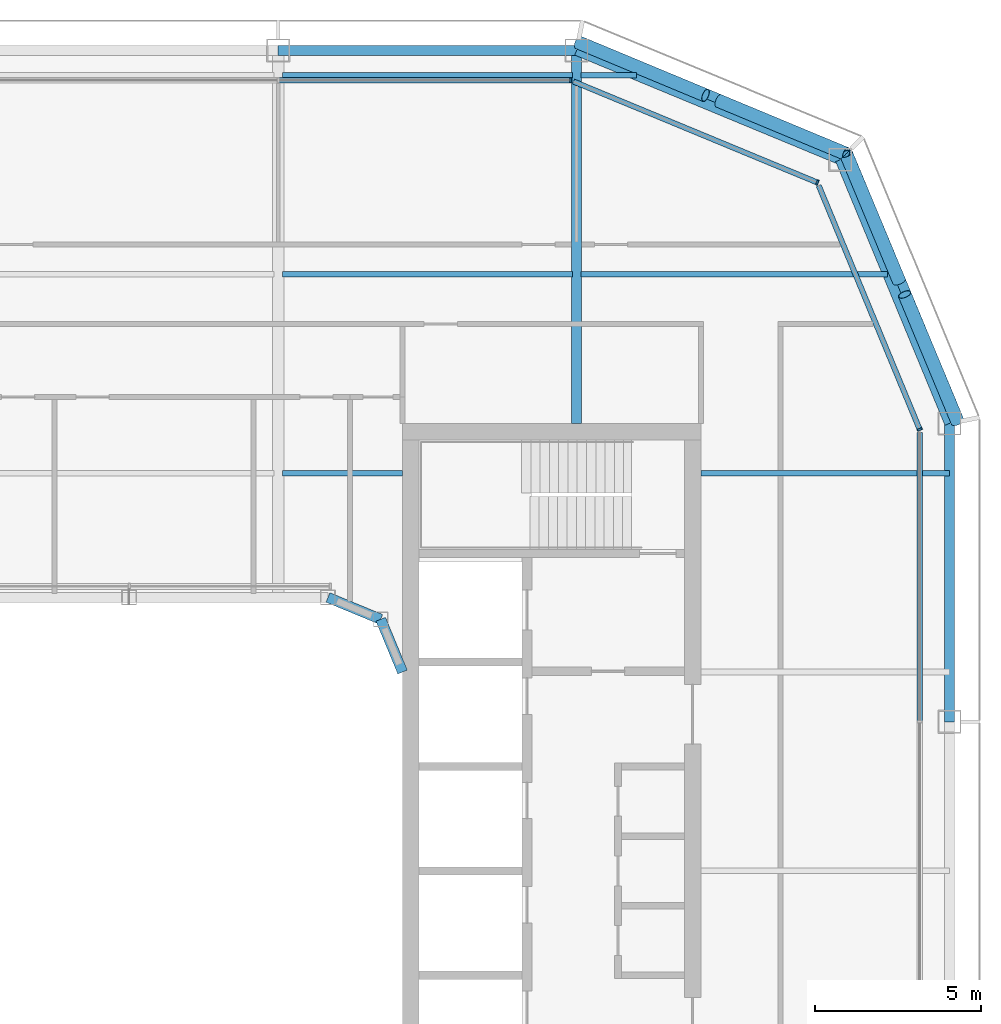
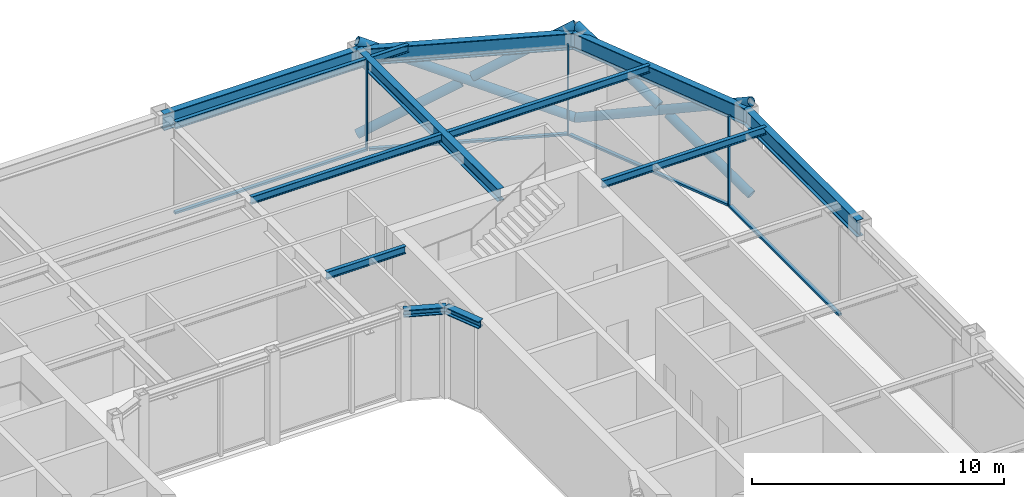
# One storey, part 9 of 18: 13 beams, 13 members, 4 elements without a shape of their own.
"""IFC4 building model written with IfcOpenShell, lengths in metres."""

from ifc_helpers import new_model, si_unit, direction, frame, origin, origin_2d, place, context, subcontext, project, spatial, rectangle, hollow_circle, i_section, extrude, material, layer, layer_set, material_profile, profile_set, type_object, element, aggregate, save


model = new_model("IFC4")

# Units and contexts
model_context = context("Model", 3, precision=1e-05, world=origin(), true_north=direction((0.0, 1.0)))
body_context = subcontext(model_context, "Body", "Model", "MODEL_VIEW")
ifc_project = project(units=[si_unit("LENGTHUNIT", "METRE"), si_unit("AREAUNIT", "SQUARE_METRE"), si_unit("VOLUMEUNIT", "CUBIC_METRE"), si_unit("PLANEANGLEUNIT", "RADIAN"), si_unit("MASSUNIT", "GRAM", prefix="KILO")], contexts=[model_context])

# Site, building, storey
site_placement = place(None, origin())
site = spatial("IfcSite", under=ifc_project, at=site_placement, CompositionType="ELEMENT")
building_placement = place(site_placement, origin())
building = spatial("IfcBuilding", under=site, at=building_placement, Name="Siwar Civic Tower", CompositionType="ELEMENT")
storey_placement = place(building_placement, frame((0.0, 0.0, 321.199951171875)))
storey = spatial("IfcBuildingStorey", under=building, at=storey_placement, Name="L69", CompositionType="ELEMENT", Elevation=321.199951171875)

# Curtain wall, member
ifc_material_1 = material(Name="Aluminium clad insulated panel", Category="aluminium")
ifc_layer_1 = layer(ifc_material_1, 0.159912109375)
ifc_layer_set_1 = layer_set([ifc_layer_1], Name="Aluminium clad insulated panel")
curtain_wall_type_1 = type_object("IfcCurtainWallType", Name="ENV-CW-DX", PredefinedType="NOTDEFINED", material=ifc_layer_set_1)
curtain_wall_1_placement = place(storey_placement, origin())
curtain_wall_1 = element("IfcCurtainWall", 1, at=curtain_wall_1_placement, inside=storey, type_object=curtain_wall_type_1, Name="Curtain wall D NE1", PredefinedType="NOTDEFINED")
ifc_material_2 = material(Name="Aluminium 6063-T6", Category="aluminium")
ifc_material_profile_1 = material_profile(ifc_material_2, rectangle(XDim=0.159912109375, YDim=0.06005859375, at=origin_2d()), Name="AL 160x60")
ifc_profile_set_1 = profile_set([ifc_material_profile_1], Name="Aluminium 6063-T6")
member_type_1 = type_object("IfcMemberType", Name="ENV-MULLION-D", PredefinedType="MULLION", material=ifc_profile_set_1)
member_1_placement = place(storey_placement, frame((23.85009765625, 13.321044921875, 0.0), z_axis=(0.0, 0.0, 1.0), x_axis=(-0.923879532511, -0.382683432365, 0.0)))
member_1 = element("IfcMember", 2, at=member_1_placement, type_object=member_type_1, Name="Mullion D NE1 1", PredefinedType="MULLION", context=body_context, shape_type="SweptSolid", body=[
    extrude(rectangle(XDim=0.159912109375, YDim=0.06005859375, at=origin_2d()), origin(), (0.0, 0.0, 1.0), 4.35009765625),
])

curtain_wall_2_placement = place(storey_placement, origin())
curtain_wall_2 = element("IfcCurtainWall", 3, at=curtain_wall_2_placement, inside=storey, type_object=curtain_wall_type_1, Name="Curtain wall D NE2", PredefinedType="NOTDEFINED")
member_2_placement = place(storey_placement, frame((20.76611328125, 20.76611328125, 0.0), z_axis=(0.0, 0.0, 1.0), x_axis=(-0.382683432365, -0.923879532511, 0.0)))
member_2 = element("IfcMember", 4, at=member_2_placement, type_object=member_type_1, Name="Mullion D NE2 1", PredefinedType="MULLION", context=body_context, shape_type="SweptSolid", body=[
    extrude(rectangle(XDim=0.159912109375, YDim=0.06005859375, at=origin_2d()), origin(), (0.0, 0.0, 1.0), 4.35009765625),
])

ifc_material_3 = material(Name="Aluminium and glass", Category="aluminium")
ifc_layer_2 = layer(ifc_material_3, 0.159912109375)
ifc_layer_set_2 = layer_set([ifc_layer_2], Name="Aluminium and glass")
curtain_wall_type_2 = type_object("IfcCurtainWallType", Name="ENV-CW-D", PredefinedType="NOTDEFINED", material=ifc_layer_set_2)
curtain_wall_3_placement = place(storey_placement, origin())
curtain_wall_3 = element("IfcCurtainWall", 5, at=curtain_wall_3_placement, inside=storey, type_object=curtain_wall_type_2, Name="Curtain wall D N", PredefinedType="NOTDEFINED")
member_3_placement = place(storey_placement, frame((13.321044921875, 23.85009765625, 0.0), z_axis=(0.0, 0.0, 1.0), x_axis=(0.0, -1.0, 0.0)))
member_3 = element("IfcMember", 6, at=member_3_placement, type_object=member_type_1, Name="Mullion D N 1", PredefinedType="MULLION", context=body_context, shape_type="SweptSolid", body=[
    extrude(rectangle(XDim=0.159912109375, YDim=0.06005859375, at=origin_2d()), origin(), (0.0, 0.0, 1.0), 4.35009765625),
])

curtain_wall_4_placement = place(storey_placement, origin())
curtain_wall_4 = element("IfcCurtainWall", 7, at=curtain_wall_4_placement, inside=storey, type_object=curtain_wall_type_2, Name="Curtain wall D E", PredefinedType="NOTDEFINED")
ifc_material_4 = material(Name="Aluminium 6063-T6", Category="aluminium")
ifc_material_profile_2 = material_profile(ifc_material_4, rectangle(XDim=0.159912109375, YDim=0.10009765625, at=origin_2d()), Name="AL 160x100")
ifc_profile_set_2 = profile_set([ifc_material_profile_2], Name="Aluminium 6063-T6")
member_type_2 = type_object("IfcMemberType", Name="ENV-TRANSOM-D", PredefinedType="USERDEFINED", material=ifc_profile_set_2)
member_4_placement = place(storey_placement, frame((23.85009765625, 4.530029296875, 0.050048828125), z_axis=(0.0, 1.0, 0.0), x_axis=(-1.0, 0.0, 0.0)))
member_4 = element("IfcMember", 8, at=member_4_placement, type_object=member_type_2, Name="Transom D E 3", ObjectType="TRANSOM", PredefinedType="USERDEFINED", context=body_context, shape_type="SweptSolid", body=[
    extrude(rectangle(XDim=0.159912109375, YDim=0.10009765625, at=origin_2d()), origin(), (0.0, 0.0, 1.0), 8.693115234375),
])
aggregate(curtain_wall_4, [member_4])

# Member
member_5_placement = place(storey_placement, frame((23.838623046875, 13.3486328125, 0.050048828125), z_axis=(-0.382699790424, 0.923872756612, 0.0), x_axis=(-0.923872756612, -0.382699790424, 0.0)))
member_5 = element("IfcMember", 9, at=member_5_placement, type_object=member_type_2, Name="Transom D NE1 1", ObjectType="TRANSOM", PredefinedType="USERDEFINED", context=body_context, shape_type="SweptSolid", body=[
    extrude(rectangle(XDim=0.159912109375, YDim=0.10009765625, at=origin_2d()), origin(), (0.0, 0.0, 1.0), 7.930908203125),
])

aggregate(curtain_wall_1, [member_1, member_5])

member_6_placement = place(storey_placement, frame((20.738525390625, 20.777587890625, 0.050048828125), z_axis=(-0.923883640343, 0.382673515031, 0.0), x_axis=(-0.382673515031, -0.923883640343, 0.0)))
member_6 = element("IfcMember", 10, at=member_6_placement, type_object=member_type_2, Name="Transom D NE2 1", ObjectType="TRANSOM", PredefinedType="USERDEFINED", context=body_context, shape_type="SweptSolid", body=[
    extrude(rectangle(XDim=0.159912109375, YDim=0.10009765625, at=origin_2d()), origin(), (0.0, 0.0, 1.0), 7.930908203125),
])

aggregate(curtain_wall_2, [member_2, member_6])

member_7_placement = place(storey_placement, frame((13.291015625, 23.85009765625, 0.050048828125), z_axis=(-1.0, 0.0, 0.0), x_axis=(0.0, -1.0, 0.0)))
member_7 = element("IfcMember", 11, at=member_7_placement, type_object=member_type_2, Name="Transom D N 1", ObjectType="TRANSOM", PredefinedType="USERDEFINED", context=body_context, shape_type="SweptSolid", body=[
    extrude(rectangle(XDim=0.159912109375, YDim=0.10009765625, at=origin_2d()), origin(), (0.0, 0.0, 1.0), 8.760986328125),
])

aggregate(curtain_wall_3, [member_3, member_7])

# Members
ifc_material_5 = material(Name="Steel S355", Category="steel")
ifc_material_profile_3 = material_profile(ifc_material_5, hollow_circle(Radius=0.203125, WallThickness=0.01611328125, at=origin_2d()), Name="CHS406.4x16")
ifc_profile_set_3 = profile_set([ifc_material_profile_3], Name="Steel S355")
member_type_3 = type_object("IfcMemberType", Name="STR-BR-CHS406.4x16", PredefinedType="BRACE", material=ifc_profile_set_3)
member_8_placement = place(storey_placement, frame((21.6318359375, 21.6318359375, 0.0), z_axis=(-0.821142553604, 0.341671493852, 0.457149315816), x_axis=(-0.384163874976, -0.923264922524, 0.0)))
element("IfcMember", 12, at=member_8_placement, inside=storey, type_object=member_type_3, Name="L69/brc/DNE1-8-0-1", PredefinedType="BRACE", context=body_context, shape_type="SweptSolid", body=[
    extrude(hollow_circle(Radius=0.203125, WallThickness=0.01611328125, at=origin_2d()), origin(), (0.0, 0.0, 1.0), 9.843505859375),
])
for number, where, z_axis, x_axis, name in (
    (13, (13.548828125, 24.9951171875, 0.0), (0.821130093572, -0.341659024948, 0.45718101459), (0.384156893273, 0.923267827529, 0.0), "L69/brc/DNE1-8-0-2"),
    (14, (17.791259765625, 23.229736328125, 2.362060546875), (0.821166691915, -0.341652533125, 0.457120127208), (0.38413607648, 0.923276488787, 0.0), "L69/brc/DNE1-8-0-3"),
):
    element("IfcMember", number, at=place(storey_placement, frame(where, z_axis=z_axis, x_axis=x_axis)), inside=storey, type_object=member_type_3, Name=name, PredefinedType="BRACE", context=body_context, shape_type="SweptSolid", body=[
        extrude(hollow_circle(Radius=0.203125, WallThickness=0.01611328125, at=origin_2d()), origin(), (0.0, 0.0, 1.0), 4.677001953125),
    ])
member_9_placement = place(storey_placement, frame((21.6318359375, 21.6318359375, 0.0), z_axis=(0.341671493852, -0.821142553604, 0.457149315816), x_axis=(0.923264922524, 0.384163874976, 0.0)))
element("IfcMember", 15, at=member_9_placement, inside=storey, type_object=member_type_3, Name="L69/brc/DNE1-8-0-0", PredefinedType="BRACE", context=body_context, shape_type="SweptSolid", body=[
    extrude(hollow_circle(Radius=0.203125, WallThickness=0.01611328125, at=origin_2d()), origin(), (0.0, 0.0, 1.0), 9.843505859375),
])
for number, where, z_axis, x_axis, name in (
    (16, (24.9951171875, 13.548828125, 0.0), (-0.341659024948, 0.821130093572, 0.45718101459), (-0.923267827529, -0.384156893273, 0.0), "L69/brc/DNE1-8-0-4"),
    (17, (23.229736328125, 17.791259765625, 2.362060546875), (-0.341652533125, 0.821166691915, 0.457120127208), (-0.923276488787, -0.38413607648, 0.0), "L69/brc/DNE1-8-0-5"),
):
    element("IfcMember", number, at=place(storey_placement, frame(where, z_axis=z_axis, x_axis=x_axis)), inside=storey, type_object=member_type_3, Name=name, PredefinedType="BRACE", context=body_context, shape_type="SweptSolid", body=[
        extrude(hollow_circle(Radius=0.203125, WallThickness=0.01611328125, at=origin_2d()), origin(), (0.0, 0.0, 1.0), 4.677001953125),
    ])

# Beams
ifc_material_6 = material(Name="Steel S355", Category="steel")
ifc_material_profile_4 = material_profile(ifc_material_6, i_section(OverallWidth=0.169921875, OverallDepth=0.360107421875, WebThickness=0.008056640625, FlangeThickness=0.0126953125, FilletRadius=0.01806640625, at=origin_2d()), Name="IPE360")
ifc_profile_set_4 = profile_set([ifc_material_profile_4], Name="Steel S355")
beam_type_1 = type_object("IfcBeamType", Name="STR-FB-IPE360", PredefinedType="JOIST", material=ifc_profile_set_4)
beam_1_placement = place(storey_placement, frame((4.6298828125, 12.0, 4.170166015625), z_axis=(1.0, 0.0, 0.0), x_axis=(0.0, 1.0, 0.0)))
element("IfcBeam", 18, at=beam_1_placement, inside=storey, type_object=beam_type_1, Name="L69/bm/F025", PredefinedType="JOIST", context=body_context, shape_type="SweptSolid", body=[
    extrude(i_section(OverallWidth=0.169921875, OverallDepth=0.360107421875, WebThickness=0.008056640625, FlangeThickness=0.0126953125, FilletRadius=0.01806640625, at=origin_2d()), origin(), (0.0, 0.0, 1.0), 3.6201171875),
])
beam_2_placement = place(storey_placement, frame((17.25, 12.0, 4.170166015625), z_axis=(1.0, 0.0, 0.0), x_axis=(0.0, 1.0, 0.0)))
element("IfcBeam", 19, at=beam_2_placement, inside=storey, type_object=beam_type_1, Name="L69/bm/F026", PredefinedType="JOIST", context=body_context, shape_type="SweptSolid", body=[
    extrude(i_section(OverallWidth=0.169921875, OverallDepth=0.360107421875, WebThickness=0.008056640625, FlangeThickness=0.0126953125, FilletRadius=0.01806640625, at=origin_2d()), origin(), (0.0, 0.0, 1.0), 7.5),
])
beam_3_placement = place(storey_placement, frame((4.6298828125, 18.0, 4.170166015625), z_axis=(1.0, 0.0, 0.0), x_axis=(0.0, 1.0, 0.0)))
element("IfcBeam", 20, at=beam_3_placement, inside=storey, type_object=beam_type_1, Name="L69/bm/F030", PredefinedType="JOIST", context=body_context, shape_type="SweptSolid", body=[
    extrude(i_section(OverallWidth=0.169921875, OverallDepth=0.360107421875, WebThickness=0.008056640625, FlangeThickness=0.0126953125, FilletRadius=0.01806640625, at=origin_2d()), origin(), (0.0, 0.0, 1.0), 8.740234375),
])
beam_4_placement = place(storey_placement, frame((13.6298828125, 18.0, 4.170166015625), z_axis=(1.0, 0.0, 0.0), x_axis=(0.0, 1.0, 0.0)))
element("IfcBeam", 21, at=beam_4_placement, inside=storey, type_object=beam_type_1, Name="L69/bm/F031", PredefinedType="JOIST", context=body_context, shape_type="SweptSolid", body=[
    extrude(i_section(OverallWidth=0.169921875, OverallDepth=0.360107421875, WebThickness=0.008056640625, FlangeThickness=0.0126953125, FilletRadius=0.01806640625, at=origin_2d()), origin(), (0.0, 0.0, 1.0), 9.256103515625),
])
beam_5_placement = place(storey_placement, frame((4.6298828125, 24.0, 4.170166015625), z_axis=(1.0, 0.0, 0.0), x_axis=(0.0, 1.0, 0.0)))
element("IfcBeam", 22, at=beam_5_placement, inside=storey, type_object=beam_type_1, Name="L69/bm/F035", PredefinedType="JOIST", context=body_context, shape_type="SweptSolid", body=[
    extrude(i_section(OverallWidth=0.169921875, OverallDepth=0.360107421875, WebThickness=0.008056640625, FlangeThickness=0.0126953125, FilletRadius=0.01806640625, at=origin_2d()), origin(), (0.0, 0.0, 1.0), 8.740234375),
])
beam_6_placement = place(storey_placement, frame((13.6298828125, 24.0, 4.170166015625), z_axis=(1.0, 0.0, 0.0), x_axis=(0.0, 1.0, 0.0)))
element("IfcBeam", 23, at=beam_6_placement, inside=storey, type_object=beam_type_1, Name="L69/bm/F036", PredefinedType="JOIST", context=body_context, shape_type="SweptSolid", body=[
    extrude(i_section(OverallWidth=0.169921875, OverallDepth=0.360107421875, WebThickness=0.008056640625, FlangeThickness=0.0126953125, FilletRadius=0.01806640625, at=origin_2d()), origin(), (0.0, 0.0, 1.0), 1.6806640625),
])
ifc_material_7 = material(Name="Steel S355", Category="steel")
ifc_material_profile_5 = material_profile(ifc_material_7, i_section(OverallWidth=0.300048828125, OverallDepth=0.60009765625, WebThickness=0.015380859375, FlangeThickness=0.030029296875, FilletRadius=0.027099609375, at=origin_2d()), Name="HEB600")
ifc_profile_set_5 = profile_set([ifc_material_profile_5], Name="Steel S355")
beam_type_2 = type_object("IfcBeamType", Name="STR-PG-HEB600", PredefinedType="BEAM", material=ifc_profile_set_5)
beam_7_placement = place(storey_placement, frame((13.5, 13.5, 4.050048828125), z_axis=(0.0, 1.0, 0.0), x_axis=(-1.0, 0.0, 0.0)))
element("IfcBeam", 24, at=beam_7_placement, inside=storey, type_object=beam_type_2, Name="L69/bm/G08", PredefinedType="BEAM", context=body_context, shape_type="SweptSolid", body=[
    extrude(i_section(OverallWidth=0.300048828125, OverallDepth=0.60009765625, WebThickness=0.015380859375, FlangeThickness=0.030029296875, FilletRadius=0.027099609375, at=origin_2d()), origin(), (0.0, 0.0, 1.0), 11.25),
])
ifc_material_8 = material(Name="Steel S355", Category="steel")
ifc_material_profile_6 = material_profile(ifc_material_8, i_section(OverallWidth=0.31005859375, OverallDepth=0.340087890625, WebThickness=0.02099609375, FlangeThickness=0.0390625, FilletRadius=0.027099609375, at=origin_2d()), Name="HEM300")
ifc_profile_set_6 = profile_set([ifc_material_profile_6], Name="Steel S355")
beam_type_3 = type_object("IfcBeamType", Name="STR-RB-HEM300", PredefinedType="BEAM", material=ifc_profile_set_6)
for number, where, z_axis, x_axis, name in (
    (25, (6.0, 8.25, 4.179931640625), (0.923901072997, -0.382631424892, 0.0), (0.382631424892, 0.923901072997, 0.0), "L69/bm/RN3"),
    (26, (7.591064453125, 7.591064453125, 4.179931640625), (0.382631424892, -0.923901072997, 0.0), (0.923901072997, 0.382631424892, 0.0), "L69/bm/RNEE"),
):
    element("IfcBeam", number, at=place(storey_placement, frame(where, z_axis=z_axis, x_axis=x_axis)), inside=storey, type_object=beam_type_3, Name=name, PredefinedType="BEAM", context=body_context, shape_type="SweptSolid", body=[
        extrude(i_section(OverallWidth=0.31005859375, OverallDepth=0.340087890625, WebThickness=0.02099609375, FlangeThickness=0.0390625, FilletRadius=0.027099609375, at=origin_2d()), origin(), (0.0, 0.0, 1.0), 1.72216796875),
    ])
ifc_material_9 = material(Name="Steel S355", Category="steel")
ifc_material_profile_7 = material_profile(ifc_material_9, i_section(OverallWidth=0.300048828125, OverallDepth=0.800048828125, WebThickness=0.017578125, FlangeThickness=0.032958984375, FilletRadius=0.030029296875, at=origin_2d()), Name="HEB800")
ifc_profile_set_7 = profile_set([ifc_material_profile_7], Name="Steel S355")
beam_type_4 = type_object("IfcBeamType", Name="STR-SB-HEB800", PredefinedType="BEAM", material=ifc_profile_set_7)
beam_8_placement = place(storey_placement, frame((24.75, 4.5, 3.949951171875), z_axis=(0.0, 1.0, 0.0), x_axis=(-1.0, 0.0, 0.0)))
element("IfcBeam", 27, at=beam_8_placement, inside=storey, type_object=beam_type_4, Name="L69/bm/SE-2", PredefinedType="BEAM", context=body_context, shape_type="SweptSolid", body=[
    extrude(i_section(OverallWidth=0.300048828125, OverallDepth=0.800048828125, WebThickness=0.017578125, FlangeThickness=0.032958984375, FilletRadius=0.030029296875, at=origin_2d()), origin(), (0.0, 0.0, 1.0), 9.0),
])
for number, where, z_axis, x_axis, name in (
    (28, (24.75, 13.5, 3.949951171875), (-0.382699877515, 0.923872720536, 0.0), (-0.923872720536, -0.382699877515, 0.0), "L69/bm/SNE1-0"),
    (29, (21.454833984375, 21.454833984375, 3.949951171875), (-0.923872720536, 0.382699877515, 0.0), (-0.382699877515, -0.923872720536, 0.0), "L69/bm/SNE2-0"),
):
    element("IfcBeam", number, at=place(storey_placement, frame(where, z_axis=z_axis, x_axis=x_axis)), inside=storey, type_object=beam_type_4, Name=name, PredefinedType="BEAM", context=body_context, shape_type="SweptSolid", body=[
        extrude(i_section(OverallWidth=0.300048828125, OverallDepth=0.800048828125, WebThickness=0.017578125, FlangeThickness=0.032958984375, FilletRadius=0.030029296875, at=origin_2d()), origin(), (0.0, 0.0, 1.0), 8.6103515625),
    ])
beam_9_placement = place(storey_placement, frame((13.5, 24.75, 3.949951171875), z_axis=(-1.0, 0.0, 0.0), x_axis=(0.0, -1.0, 0.0)))
element("IfcBeam", 30, at=beam_9_placement, inside=storey, type_object=beam_type_4, Name="L69/bm/SN-0", PredefinedType="BEAM", context=body_context, shape_type="SweptSolid", body=[
    extrude(i_section(OverallWidth=0.300048828125, OverallDepth=0.800048828125, WebThickness=0.017578125, FlangeThickness=0.032958984375, FilletRadius=0.030029296875, at=origin_2d()), origin(), (0.0, 0.0, 1.0), 9.0),
])

save(model, "model.ifc")
